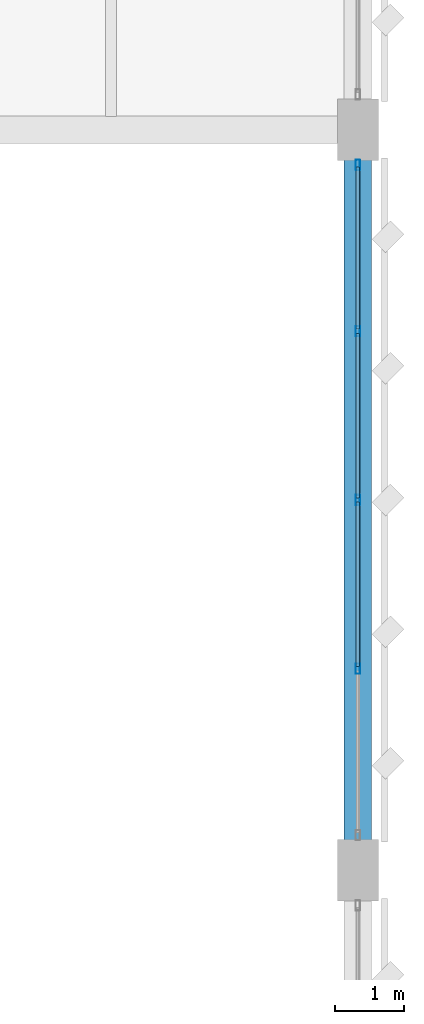
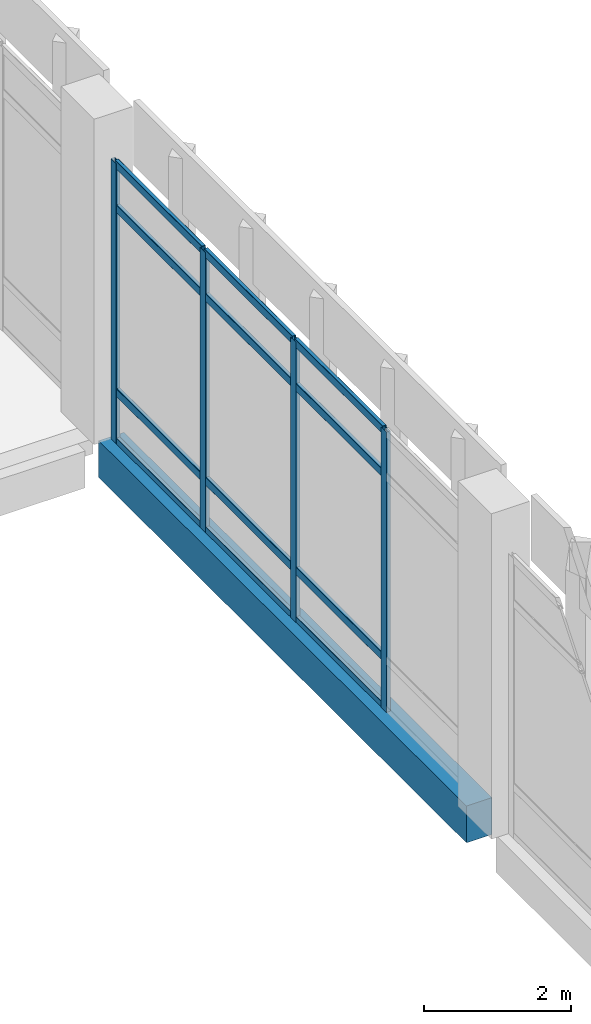
# One storey, part 110 of 180: 16 members, 1 beam, 1 element without a shape of its own.
"""IFC4 building model written with IfcOpenShell, lengths in metres."""

from ifc_helpers import new_model, si_unit, direction, frame, origin, origin_2d, place, context, subcontext, project, spatial, rectangle, hollow_rectangle, extrude, material, material_profile, profile_set, type_object, element, aggregate, save


model = new_model("IFC4")

# Units and contexts
model_context = context("Model", 3, precision=1e-05, world=origin(), true_north=direction((0.0, 1.0)))
body_context = subcontext(model_context, "Body", "Model", "MODEL_VIEW")
ifc_project = project(units=[si_unit("LENGTHUNIT", "METRE"), si_unit("AREAUNIT", "SQUARE_METRE"), si_unit("VOLUMEUNIT", "CUBIC_METRE"), si_unit("PLANEANGLEUNIT", "RADIAN"), si_unit("MASSUNIT", "GRAM", prefix="KILO")], contexts=[model_context])

# Site, building, storey
site_placement = place(None, origin())
site = spatial("IfcSite", under=ifc_project, at=site_placement, CompositionType="ELEMENT")
building_placement = place(site_placement, origin())
building = spatial("IfcBuilding", under=site, at=building_placement, Name="Lusvemor Sports Hall", CompositionType="ELEMENT")
storey_placement = place(building_placement, frame((0.0, 0.0, 5.39990234375)))
storey = spatial("IfcBuildingStorey", under=building, at=storey_placement, Name="L01", CompositionType="ELEMENT", Elevation=5.39990234375)

# Curtain wall, members
ifc_material_1 = material(Name="Thermally broken bronze-anodized aluminium", Category="aluminium")
curtain_wall_type = type_object("IfcCurtainWallType", Name="CW_COURT_C", PredefinedType="NOTDEFINED", material=ifc_material_1)
curtain_wall_placement = place(storey_placement, origin())
curtain_wall = element("IfcCurtainWall", 1, at=curtain_wall_placement, inside=storey, type_object=curtain_wall_type, Name="Curtain Wall CW-V2E-L01-3", PredefinedType="NOTDEFINED")
ifc_material_2 = material(Name="Thermally broken bronze-anodized aluminium", Category="aluminium")
ifc_material_profile_1 = material_profile(ifc_material_2, hollow_rectangle(XDim=0.06494140625, YDim=0.14990234375, WallThickness=0.00390625, InnerFilletRadius=0.00390625, OuterFilletRadius=0.008056640625, at=origin_2d()), Name="CWMUL150x65x4")
ifc_profile_set_1 = profile_set([ifc_material_profile_1], Name="Thermally broken bronze-anodized aluminium")
member_type_1 = type_object("IfcMemberType", Name="CW_MUL_B", PredefinedType="MULLION", material=ifc_profile_set_1)
member_1_placement = place(storey_placement, frame((169.199951171875, 39.08740234375, 0.0), z_axis=(0.0, 0.0, 1.0), x_axis=(1.0, 0.0, 0.0)))
member_1 = element("IfcMember", 2, at=member_1_placement, type_object=member_type_1, Name="CW03 mullion 1", PredefinedType="MULLION", context=body_context, shape_type="SweptSolid", body=[
    extrude(hollow_rectangle(XDim=0.06494140625, YDim=0.14990234375, WallThickness=0.00390625, InnerFilletRadius=0.00390625, OuterFilletRadius=0.008056640625, at=origin_2d()), origin(), (0.0, 0.0, 1.0), 4.650146484375),
])
member_2_placement = place(storey_placement, frame((169.199951171875, 36.659912109375, 0.0), z_axis=(0.0, 0.0, 1.0), x_axis=(1.0, 0.0, 0.0)))
member_2 = element("IfcMember", 3, at=member_2_placement, type_object=member_type_1, Name="CW03 mullion 2", PredefinedType="MULLION", context=body_context, shape_type="SweptSolid", body=[
    extrude(hollow_rectangle(XDim=0.06494140625, YDim=0.14990234375, WallThickness=0.00390625, InnerFilletRadius=0.00390625, OuterFilletRadius=0.008056640625, at=origin_2d()), origin(), (0.0, 0.0, 1.0), 4.650146484375),
])
member_3_placement = place(storey_placement, frame((169.199951171875, 34.199951171875, 0.0), z_axis=(0.0, 0.0, 1.0), x_axis=(1.0, 0.0, 0.0)))
member_3 = element("IfcMember", 4, at=member_3_placement, type_object=member_type_1, Name="CW03 mullion 3", PredefinedType="MULLION", context=body_context, shape_type="SweptSolid", body=[
    extrude(hollow_rectangle(XDim=0.06494140625, YDim=0.14990234375, WallThickness=0.00390625, InnerFilletRadius=0.00390625, OuterFilletRadius=0.008056640625, at=origin_2d()), origin(), (0.0, 0.0, 1.0), 4.650146484375),
])
member_4_placement = place(storey_placement, frame((169.199951171875, 31.739990234375, 0.0), z_axis=(0.0, 0.0, 1.0), x_axis=(1.0, 0.0, 0.0)))
member_4 = element("IfcMember", 5, at=member_4_placement, type_object=member_type_1, Name="CW03 mullion 4", PredefinedType="MULLION", context=body_context, shape_type="SweptSolid", body=[
    extrude(hollow_rectangle(XDim=0.06494140625, YDim=0.14990234375, WallThickness=0.00390625, InnerFilletRadius=0.00390625, OuterFilletRadius=0.008056640625, at=origin_2d()), origin(), (0.0, 0.0, 1.0), 4.650146484375),
])
ifc_material_3 = material(Name="Thermally broken bronze-anodized aluminium", Category="aluminium")
ifc_material_profile_2 = material_profile(ifc_material_3, hollow_rectangle(XDim=0.06005859375, YDim=0.135009765625, WallThickness=0.00390625, InnerFilletRadius=0.00390625, OuterFilletRadius=0.008056640625, at=origin_2d()), Name="CWTRN135x60x4")
ifc_profile_set_2 = profile_set([ifc_material_profile_2], Name="Thermally broken bronze-anodized aluminium")
member_type_2 = type_object("IfcMemberType", Name="CW_TRN_B", PredefinedType="USERDEFINED", material=ifc_profile_set_2)
member_5_placement = place(storey_placement, frame((169.199951171875, 39.054931640625, 0.030029296875), z_axis=(0.0, -1.0, 0.0), x_axis=(1.0, 0.0, 0.0)))
member_5 = element("IfcMember", 6, at=member_5_placement, type_object=member_type_2, Name="CW03 transom 1.1", ObjectType="TRANSOM", PredefinedType="USERDEFINED", context=body_context, shape_type="SweptSolid", body=[
    extrude(hollow_rectangle(XDim=0.06005859375, YDim=0.135009765625, WallThickness=0.00390625, InnerFilletRadius=0.00390625, OuterFilletRadius=0.008056640625, at=origin_2d()), origin(), (0.0, 0.0, 1.0), 2.362548828125),
])
member_6_placement = place(storey_placement, frame((169.199951171875, 39.054931640625, 0.85009765625), z_axis=(0.0, -1.0, 0.0), x_axis=(1.0, 0.0, 0.0)))
member_6 = element("IfcMember", 7, at=member_6_placement, type_object=member_type_2, Name="CW03 transom 1.2", ObjectType="TRANSOM", PredefinedType="USERDEFINED", context=body_context, shape_type="SweptSolid", body=[
    extrude(hollow_rectangle(XDim=0.06005859375, YDim=0.135009765625, WallThickness=0.00390625, InnerFilletRadius=0.00390625, OuterFilletRadius=0.008056640625, at=origin_2d()), origin(), (0.0, 0.0, 1.0), 2.362548828125),
])
member_7_placement = place(storey_placement, frame((169.199951171875, 39.054931640625, 3.900146484375), z_axis=(0.0, -1.0, 0.0), x_axis=(1.0, 0.0, 0.0)))
member_7 = element("IfcMember", 8, at=member_7_placement, type_object=member_type_2, Name="CW03 transom 1.3", ObjectType="TRANSOM", PredefinedType="USERDEFINED", context=body_context, shape_type="SweptSolid", body=[
    extrude(hollow_rectangle(XDim=0.06005859375, YDim=0.135009765625, WallThickness=0.00390625, InnerFilletRadius=0.00390625, OuterFilletRadius=0.008056640625, at=origin_2d()), origin(), (0.0, 0.0, 1.0), 2.362548828125),
])
member_8_placement = place(storey_placement, frame((169.199951171875, 39.054931640625, 4.6201171875), z_axis=(0.0, -1.0, 0.0), x_axis=(1.0, 0.0, 0.0)))
member_8 = element("IfcMember", 9, at=member_8_placement, type_object=member_type_2, Name="CW03 transom 1.4", ObjectType="TRANSOM", PredefinedType="USERDEFINED", context=body_context, shape_type="SweptSolid", body=[
    extrude(hollow_rectangle(XDim=0.06005859375, YDim=0.135009765625, WallThickness=0.00390625, InnerFilletRadius=0.00390625, OuterFilletRadius=0.008056640625, at=origin_2d()), origin(), (0.0, 0.0, 1.0), 2.362548828125),
])
member_9_placement = place(storey_placement, frame((169.199951171875, 36.62744140625, 0.030029296875), z_axis=(0.0, -1.0, 0.0), x_axis=(1.0, 0.0, 0.0)))
member_9 = element("IfcMember", 10, at=member_9_placement, type_object=member_type_2, Name="CW03 transom 2.1", ObjectType="TRANSOM", PredefinedType="USERDEFINED", context=body_context, shape_type="SweptSolid", body=[
    extrude(hollow_rectangle(XDim=0.06005859375, YDim=0.135009765625, WallThickness=0.00390625, InnerFilletRadius=0.00390625, OuterFilletRadius=0.008056640625, at=origin_2d()), origin(), (0.0, 0.0, 1.0), 2.39501953125),
])
member_10_placement = place(storey_placement, frame((169.199951171875, 36.62744140625, 0.85009765625), z_axis=(0.0, -1.0, 0.0), x_axis=(1.0, 0.0, 0.0)))
member_10 = element("IfcMember", 11, at=member_10_placement, type_object=member_type_2, Name="CW03 transom 2.2", ObjectType="TRANSOM", PredefinedType="USERDEFINED", context=body_context, shape_type="SweptSolid", body=[
    extrude(hollow_rectangle(XDim=0.06005859375, YDim=0.135009765625, WallThickness=0.00390625, InnerFilletRadius=0.00390625, OuterFilletRadius=0.008056640625, at=origin_2d()), origin(), (0.0, 0.0, 1.0), 2.39501953125),
])
member_11_placement = place(storey_placement, frame((169.199951171875, 36.62744140625, 3.900146484375), z_axis=(0.0, -1.0, 0.0), x_axis=(1.0, 0.0, 0.0)))
member_11 = element("IfcMember", 12, at=member_11_placement, type_object=member_type_2, Name="CW03 transom 2.3", ObjectType="TRANSOM", PredefinedType="USERDEFINED", context=body_context, shape_type="SweptSolid", body=[
    extrude(hollow_rectangle(XDim=0.06005859375, YDim=0.135009765625, WallThickness=0.00390625, InnerFilletRadius=0.00390625, OuterFilletRadius=0.008056640625, at=origin_2d()), origin(), (0.0, 0.0, 1.0), 2.39501953125),
])
member_12_placement = place(storey_placement, frame((169.199951171875, 36.62744140625, 4.6201171875), z_axis=(0.0, -1.0, 0.0), x_axis=(1.0, 0.0, 0.0)))
member_12 = element("IfcMember", 13, at=member_12_placement, type_object=member_type_2, Name="CW03 transom 2.4", ObjectType="TRANSOM", PredefinedType="USERDEFINED", context=body_context, shape_type="SweptSolid", body=[
    extrude(hollow_rectangle(XDim=0.06005859375, YDim=0.135009765625, WallThickness=0.00390625, InnerFilletRadius=0.00390625, OuterFilletRadius=0.008056640625, at=origin_2d()), origin(), (0.0, 0.0, 1.0), 2.39501953125),
])
member_13_placement = place(storey_placement, frame((169.199951171875, 34.16748046875, 0.030029296875), z_axis=(0.0, -1.0, 0.0), x_axis=(1.0, 0.0, 0.0)))
member_13 = element("IfcMember", 14, at=member_13_placement, type_object=member_type_2, Name="CW03 transom 3.1", ObjectType="TRANSOM", PredefinedType="USERDEFINED", context=body_context, shape_type="SweptSolid", body=[
    extrude(hollow_rectangle(XDim=0.06005859375, YDim=0.135009765625, WallThickness=0.00390625, InnerFilletRadius=0.00390625, OuterFilletRadius=0.008056640625, at=origin_2d()), origin(), (0.0, 0.0, 1.0), 2.39501953125),
])
member_14_placement = place(storey_placement, frame((169.199951171875, 34.16748046875, 0.85009765625), z_axis=(0.0, -1.0, 0.0), x_axis=(1.0, 0.0, 0.0)))
member_14 = element("IfcMember", 15, at=member_14_placement, type_object=member_type_2, Name="CW03 transom 3.2", ObjectType="TRANSOM", PredefinedType="USERDEFINED", context=body_context, shape_type="SweptSolid", body=[
    extrude(hollow_rectangle(XDim=0.06005859375, YDim=0.135009765625, WallThickness=0.00390625, InnerFilletRadius=0.00390625, OuterFilletRadius=0.008056640625, at=origin_2d()), origin(), (0.0, 0.0, 1.0), 2.39501953125),
])
member_15_placement = place(storey_placement, frame((169.199951171875, 34.16748046875, 3.900146484375), z_axis=(0.0, -1.0, 0.0), x_axis=(1.0, 0.0, 0.0)))
member_15 = element("IfcMember", 16, at=member_15_placement, type_object=member_type_2, Name="CW03 transom 3.3", ObjectType="TRANSOM", PredefinedType="USERDEFINED", context=body_context, shape_type="SweptSolid", body=[
    extrude(hollow_rectangle(XDim=0.06005859375, YDim=0.135009765625, WallThickness=0.00390625, InnerFilletRadius=0.00390625, OuterFilletRadius=0.008056640625, at=origin_2d()), origin(), (0.0, 0.0, 1.0), 2.39501953125),
])
member_16_placement = place(storey_placement, frame((169.199951171875, 34.16748046875, 4.6201171875), z_axis=(0.0, -1.0, 0.0), x_axis=(1.0, 0.0, 0.0)))
member_16 = element("IfcMember", 17, at=member_16_placement, type_object=member_type_2, Name="CW03 transom 3.4", ObjectType="TRANSOM", PredefinedType="USERDEFINED", context=body_context, shape_type="SweptSolid", body=[
    extrude(hollow_rectangle(XDim=0.06005859375, YDim=0.135009765625, WallThickness=0.00390625, InnerFilletRadius=0.00390625, OuterFilletRadius=0.008056640625, at=origin_2d()), origin(), (0.0, 0.0, 1.0), 2.39501953125),
])
aggregate(curtain_wall, [member_1, member_2, member_3, member_4, member_5, member_6, member_7, member_8, member_9, member_10, member_11, member_12, member_13, member_14, member_15, member_16])

# Beam
ifc_material_4 = material(Name="Concrete C40/50", Category="concrete")
ifc_material_profile_3 = material_profile(ifc_material_4, rectangle(XDim=0.39990234375, YDim=0.610107421875, at=origin_2d()), Name="RC400x610")
ifc_profile_set_3 = profile_set([ifc_material_profile_3], Name="Concrete C40/50")
beam_type = type_object("IfcBeamType", Name="SPAND_EXT_650", PredefinedType="SPANDREL", material=ifc_profile_set_3)
beam_placement = place(storey_placement, frame((169.199951171875, 29.199951171875, -0.304931640625), z_axis=(0.0, 1.0, 0.0), x_axis=(-1.0, 0.0, 0.0)))
element("IfcBeam", 18, at=beam_placement, inside=storey, type_object=beam_type, Name="East Court Facade Girt L01-3", PredefinedType="SPANDREL", context=body_context, shape_type="SweptSolid", body=[
    extrude(rectangle(XDim=0.39990234375, YDim=0.610107421875, at=origin_2d()), origin(), (0.0, 0.0, 1.0), 10.0),
])

save(model, "model.ifc")
